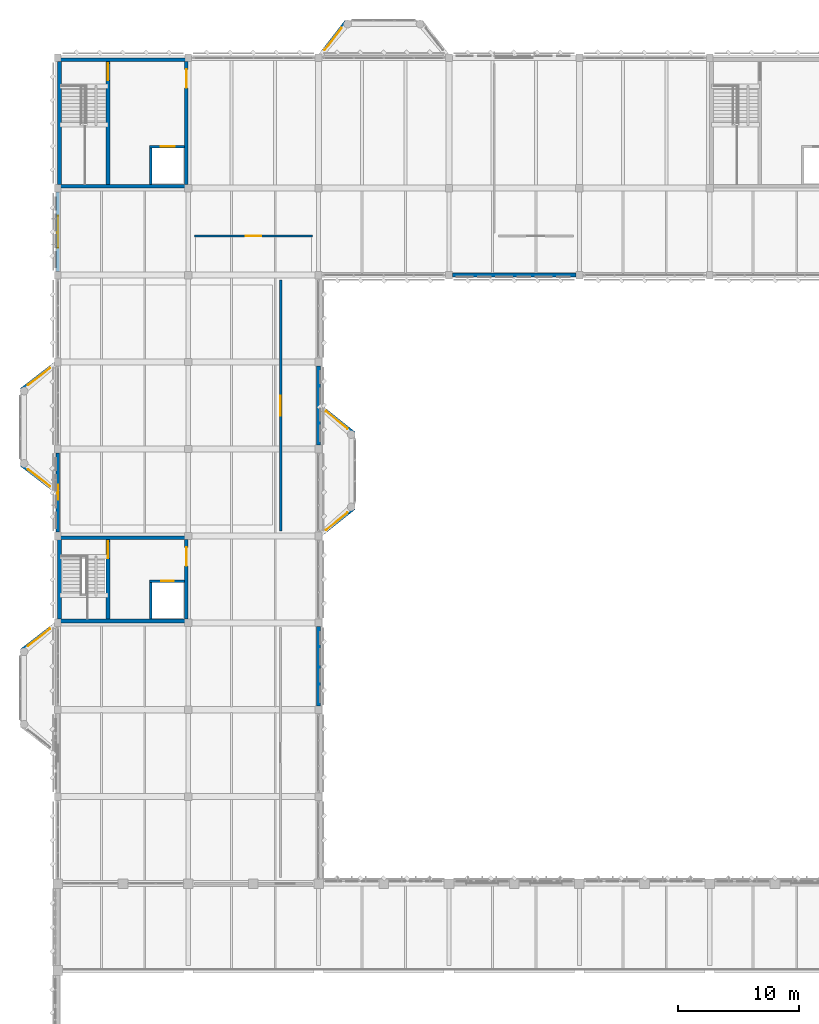
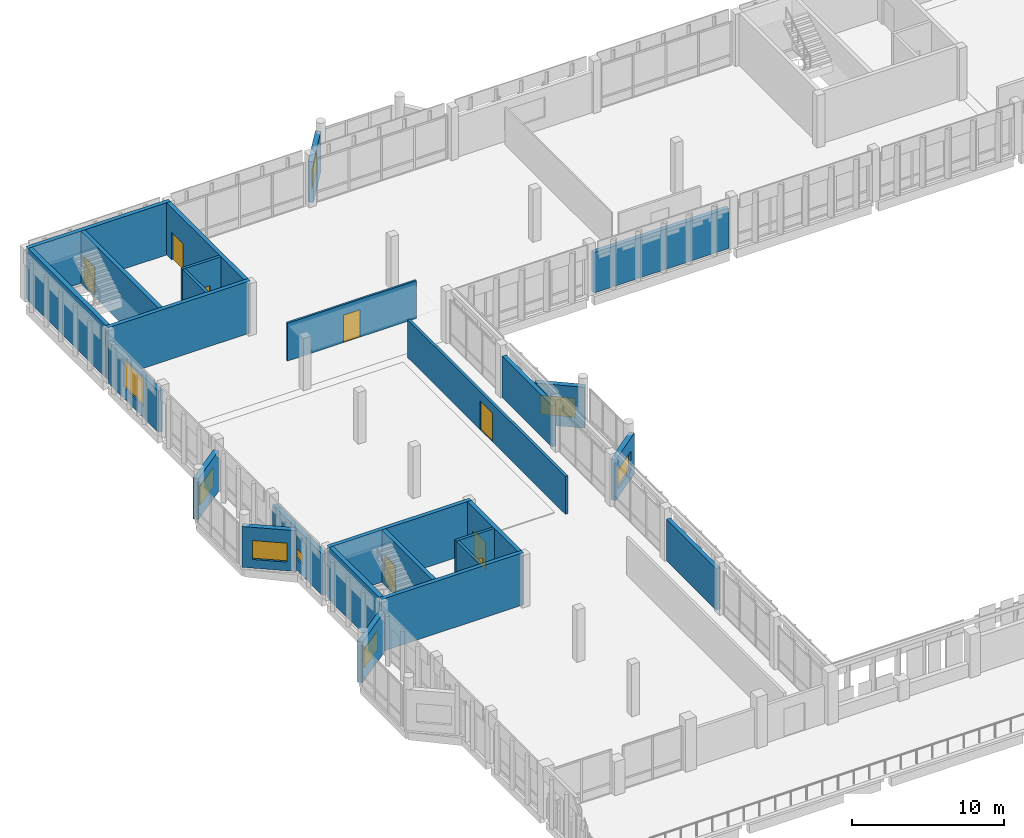
# One storey, part 133 of 158: 27 walls, 8 doors, 8 windows, 16 openings.
"""IFC4 building model written with IfcOpenShell, lengths in metres."""

from ifc_helpers import new_model, si_unit, direction, frame, frame_2d, origin, place, context, subcontext, project, spatial, rectangle, extrude, material, layer, layer_set, type_object, element, fill, save


model = new_model("IFC4")

# Units and contexts
model_context = context("Model", 3, precision=1e-05, world=origin(), true_north=direction((0.0, 1.0)))
body_context = subcontext(model_context, "Body", "Model", "MODEL_VIEW")
ifc_project = project(units=[si_unit("LENGTHUNIT", "METRE"), si_unit("AREAUNIT", "SQUARE_METRE"), si_unit("VOLUMEUNIT", "CUBIC_METRE"), si_unit("PLANEANGLEUNIT", "RADIAN"), si_unit("MASSUNIT", "GRAM", prefix="KILO")], contexts=[model_context])

# Site, building, storey
site_placement = place(None, origin())
site = spatial("IfcSite", under=ifc_project, at=site_placement, CompositionType="ELEMENT")
building_placement = place(site_placement, origin())
building = spatial("IfcBuilding", under=site, at=building_placement, Name="Lusvemor Sports Hall", CompositionType="ELEMENT")
storey_placement = place(building_placement, frame((0.0, 0.0, 10.800048828125)))
storey = spatial("IfcBuildingStorey", under=building, at=storey_placement, Name="L02", CompositionType="ELEMENT", Elevation=10.800048828125)

# Wall, opening, window
ifc_material_1 = material(Name="Emerald polychrome glazed ceramic cladding on Concrete C40/50 backing", Category="concrete")
ifc_layer_1 = layer(ifc_material_1, 0.364990234375)
ifc_layer_set_1 = layer_set([ifc_layer_1], Name="Emerald polychrome glazed ceramic cladding on Concrete C40/50 backing")
wall_type_1 = type_object("IfcWallType", Name="EW_WAVE_CER_365", PredefinedType="STANDARD", material=ifc_layer_set_1)
wall_1_placement = place(storey_placement, frame((-3.005126953125, 66.073486328125, 0.0), z_axis=(0.0, 0.0, 1.0), x_axis=(0.790740760184, 0.612151166122, 0.0)))
wall_1 = element("IfcWall", 1, at=wall_1_placement, inside=storey, type_object=wall_type_1, Name="Art Nouveau Bow Wall EW-BOW-W1-L02-3", PredefinedType="STANDARD", context=body_context, shape_type="SweptSolid", body=[
    extrude(rectangle(XDim=3.80029296875, YDim=0.364990234375, at=frame_2d((1.900146484375, 0.0))), origin(), (0.0, 0.0, 1.0), 3.280029296875),
])
opening_1_placement = place(wall_1_placement, frame((0.679931640625, 0.0, 0.699951171875)))
opening_1 = element("IfcOpeningElement", 2, at=opening_1_placement, cuts=wall_1, Name="Opening WN21", PredefinedType="OPENING", context=body_context, shape_type="SweptSolid", body=[
    extrude(rectangle(XDim=2.320068359375, YDim=1.52001953125, at=frame_2d((1.16015625, 0.760009765625))), frame((0.0, 0.1826171875, 0.0), z_axis=(0.0, -1.0, 0.0), x_axis=(1.0, 0.0, 0.0)), (0.0, 0.0, 1.0), 0.364990234375),
])
ifc_material_2 = material(Name="Solar-control laminated double glazing", Category="glass")
window_type_1 = type_object("IfcWindowType", Name="WIN_21", PartitioningType="SINGLE_PANEL", PredefinedType="WINDOW", material=ifc_material_2)
window_1_placement = place(opening_1_placement, origin())
window_1 = element("IfcWindow", 3, at=window_1_placement, inside=storey, type_object=window_type_1, Name="Art Nouveau Bow Window BOW-W1 L02-3", OverallHeight=1.52001953125, OverallWidth=2.320068359375, PartitioningType="SINGLE_PANEL", PredefinedType="WINDOW", context=body_context, shape_type="SweptSolid", body=[
    extrude(rectangle(XDim=2.320068359375, YDim=1.52001953125, at=frame_2d((1.16015625, 0.760009765625))), frame((0.0, 0.030029296875, 0.0), z_axis=(0.0, -1.0, 0.0), x_axis=(1.0, 0.0, 0.0)), (0.0, 0.0, 1.0), 0.06005859375),
])
fill(opening_1, window_1)

wall_2_placement = place(storey_placement, frame((-0.157470703125, 79.322021484375, 0.0), z_axis=(0.0, 0.0, 1.0), x_axis=(-0.79073005897, 0.612164989069, 0.0)))
wall_2 = element("IfcWall", 4, at=wall_2_placement, inside=storey, type_object=wall_type_1, Name="Art Nouveau Bow Wall EW-BOW-W2-L02-1", PredefinedType="STANDARD", context=body_context, shape_type="SweptSolid", body=[
    extrude(rectangle(XDim=3.601318359375, YDim=0.364990234375, at=frame_2d((1.80078125, 0.0))), origin(), (0.0, 0.0, 1.0), 3.280029296875),
])
opening_2_placement = place(wall_2_placement, frame((0.600830078125, 0.0, 0.699951171875)))
opening_2 = element("IfcOpeningElement", 5, at=opening_2_placement, cuts=wall_2, Name="Opening WN21", PredefinedType="OPENING", context=body_context, shape_type="SweptSolid", body=[
    extrude(rectangle(XDim=2.320068359375, YDim=1.52001953125, at=frame_2d((1.16015625, 0.760009765625))), frame((0.0, 0.1826171875, 0.0), z_axis=(0.0, -1.0, 0.0), x_axis=(1.0, 0.0, 0.0)), (0.0, 0.0, 1.0), 0.364990234375),
])
window_2_placement = place(opening_2_placement, origin())
window_2 = element("IfcWindow", 6, at=window_2_placement, inside=storey, type_object=window_type_1, Name="Art Nouveau Bow Window BOW-W2 L02-1", OverallHeight=1.52001953125, OverallWidth=2.320068359375, PartitioningType="SINGLE_PANEL", PredefinedType="WINDOW", context=body_context, shape_type="SweptSolid", body=[
    extrude(rectangle(XDim=2.320068359375, YDim=1.52001953125, at=frame_2d((1.16015625, 0.760009765625))), frame((0.0, 0.030029296875, 0.0), z_axis=(0.0, -1.0, 0.0), x_axis=(1.0, 0.0, 0.0)), (0.0, 0.0, 1.0), 0.06005859375),
])
fill(opening_2, window_2)

wall_3_placement = place(storey_placement, frame((-3.005126953125, 87.673583984375, 0.0), z_axis=(0.0, 0.0, 1.0), x_axis=(0.790756898757, 0.612130318696, 0.0)))
wall_3 = element("IfcWall", 7, at=wall_3_placement, inside=storey, type_object=wall_type_1, Name="Art Nouveau Bow Wall EW-BOW-W2-L02-3", PredefinedType="STANDARD", context=body_context, shape_type="SweptSolid", body=[
    extrude(rectangle(XDim=3.560302734375, YDim=0.364990234375, at=frame_2d((1.7802734375, 0.0))), origin(), (0.0, 0.0, 1.0), 3.280029296875),
])
opening_3_placement = place(wall_3_placement, frame((0.679931640625, 0.0, 0.699951171875)))
opening_3 = element("IfcOpeningElement", 8, at=opening_3_placement, cuts=wall_3, Name="Opening WN21", PredefinedType="OPENING", context=body_context, shape_type="SweptSolid", body=[
    extrude(rectangle(XDim=2.320068359375, YDim=1.52001953125, at=frame_2d((1.16015625, 0.760009765625))), frame((0.0, 0.1826171875, 0.0), z_axis=(0.0, -1.0, 0.0), x_axis=(1.0, 0.0, 0.0)), (0.0, 0.0, 1.0), 0.364990234375),
])
window_3_placement = place(opening_3_placement, origin())
window_3 = element("IfcWindow", 9, at=window_3_placement, inside=storey, type_object=window_type_1, Name="Art Nouveau Bow Window BOW-W2 L02-3", OverallHeight=1.52001953125, OverallWidth=2.320068359375, PartitioningType="SINGLE_PANEL", PredefinedType="WINDOW", context=body_context, shape_type="SweptSolid", body=[
    extrude(rectangle(XDim=2.320068359375, YDim=1.52001953125, at=frame_2d((1.16015625, 0.760009765625))), frame((0.0, 0.030029296875, 0.0), z_axis=(0.0, -1.0, 0.0), x_axis=(1.0, 0.0, 0.0)), (0.0, 0.0, 1.0), 0.06005859375),
])
fill(opening_3, window_3)

wall_4_placement = place(storey_placement, frame((21.746826171875, 115.389892578125, 0.0), z_axis=(0.0, 0.0, 1.0), x_axis=(0.612206385164, 0.790698009334, 0.0)))
wall_4 = element("IfcWall", 10, at=wall_4_placement, inside=storey, type_object=wall_type_1, Name="Art Nouveau Bow Wall EW-BOW-N1-L02-1", PredefinedType="STANDARD", context=body_context, shape_type="SweptSolid", body=[
    extrude(rectangle(XDim=3.560302734375, YDim=0.364990234375, at=frame_2d((1.7802734375, 0.0))), origin(), (0.0, 0.0, 1.0), 3.280029296875),
])
opening_4_placement = place(wall_4_placement, frame((0.56005859375, 0.0, 0.699951171875)))
opening_4 = element("IfcOpeningElement", 11, at=opening_4_placement, cuts=wall_4, Name="Opening WN21", PredefinedType="OPENING", context=body_context, shape_type="SweptSolid", body=[
    extrude(rectangle(XDim=2.320068359375, YDim=1.52001953125, at=frame_2d((1.16015625, 0.760009765625))), frame((0.0, 0.1826171875, 0.0), z_axis=(0.0, -1.0, 0.0), x_axis=(1.0, 0.0, 0.0)), (0.0, 0.0, 1.0), 0.364990234375),
])
window_4_placement = place(opening_4_placement, origin())
window_4 = element("IfcWindow", 12, at=window_4_placement, inside=storey, type_object=window_type_1, Name="Art Nouveau Bow Window BOW-N1 L02-1", OverallHeight=1.52001953125, OverallWidth=2.320068359375, PartitioningType="SINGLE_PANEL", PredefinedType="WINDOW", context=body_context, shape_type="SweptSolid", body=[
    extrude(rectangle(XDim=2.320068359375, YDim=1.52001953125, at=frame_2d((1.16015625, 0.760009765625))), frame((0.0, 0.030029296875, 0.0), z_axis=(0.0, -1.0, 0.0), x_axis=(1.0, 0.0, 0.0)), (0.0, 0.0, 1.0), 0.06005859375),
])
fill(opening_4, window_4)

wall_5_placement = place(storey_placement, frame((21.896728515625, 86.16259765625, 0.0), z_axis=(0.0, 0.0, 1.0), x_axis=(0.780875936628, -0.62468613847, 0.0)))
wall_5 = element("IfcWall", 13, at=wall_5_placement, inside=storey, type_object=wall_type_1, Name="Art Nouveau Bow Wall EW-BOW-CT-L02-1", PredefinedType="STANDARD", context=body_context, shape_type="SweptSolid", body=[
    extrude(rectangle(XDim=3.341796875, YDim=0.364990234375, at=frame_2d((1.6708984375, 0.0))), origin(), (0.0, 0.0, 1.0), 3.280029296875),
])
opening_5_placement = place(wall_5_placement, frame((0.381103515625, 0.0, 0.699951171875)))
opening_5 = element("IfcOpeningElement", 14, at=opening_5_placement, cuts=wall_5, Name="Opening WN21", PredefinedType="OPENING", context=body_context, shape_type="SweptSolid", body=[
    extrude(rectangle(XDim=2.320068359375, YDim=1.52001953125, at=frame_2d((1.16015625, 0.760009765625))), frame((0.0, 0.1826171875, 0.0), z_axis=(0.0, -1.0, 0.0), x_axis=(1.0, 0.0, 0.0)), (0.0, 0.0, 1.0), 0.364990234375),
])
window_5_placement = place(opening_5_placement, origin())
window_5 = element("IfcWindow", 15, at=window_5_placement, inside=storey, type_object=window_type_1, Name="Art Nouveau Bow Window BOW-CT L02-1", OverallHeight=1.52001953125, OverallWidth=2.320068359375, PartitioningType="SINGLE_PANEL", PredefinedType="WINDOW", context=body_context, shape_type="SweptSolid", body=[
    extrude(rectangle(XDim=2.320068359375, YDim=1.52001953125, at=frame_2d((1.16015625, 0.760009765625))), frame((0.0, 0.030029296875, 0.0), z_axis=(0.0, -1.0, 0.0), x_axis=(1.0, 0.0, 0.0)), (0.0, 0.0, 1.0), 0.06005859375),
])
fill(opening_5, window_5)

wall_6_placement = place(storey_placement, frame((24.50634765625, 77.925048828125, 0.0), z_axis=(0.0, 0.0, 1.0), x_axis=(-0.780875936628, -0.62468613847, 0.0)))
wall_6 = element("IfcWall", 16, at=wall_6_placement, inside=storey, type_object=wall_type_1, Name="Art Nouveau Bow Wall EW-BOW-CT-L02-3", PredefinedType="STANDARD", context=body_context, shape_type="SweptSolid", body=[
    extrude(rectangle(XDim=3.341796875, YDim=0.364990234375, at=frame_2d((1.6708984375, 0.0))), origin(), (0.0, 0.0, 1.0), 3.280029296875),
])
opening_6_placement = place(wall_6_placement, frame((0.64111328125, 0.0, 0.699951171875)))
opening_6 = element("IfcOpeningElement", 17, at=opening_6_placement, cuts=wall_6, Name="Opening WN21", PredefinedType="OPENING", context=body_context, shape_type="SweptSolid", body=[
    extrude(rectangle(XDim=2.320068359375, YDim=1.52001953125, at=frame_2d((1.16015625, 0.760009765625))), frame((0.0, 0.1826171875, 0.0), z_axis=(0.0, -1.0, 0.0), x_axis=(1.0, 0.0, 0.0)), (0.0, 0.0, 1.0), 0.364990234375),
])
window_6_placement = place(opening_6_placement, origin())
window_6 = element("IfcWindow", 18, at=window_6_placement, inside=storey, type_object=window_type_1, Name="Art Nouveau Bow Window BOW-CT L02-3", OverallHeight=1.52001953125, OverallWidth=2.320068359375, PartitioningType="SINGLE_PANEL", PredefinedType="WINDOW", context=body_context, shape_type="SweptSolid", body=[
    extrude(rectangle(XDim=2.320068359375, YDim=1.52001953125, at=frame_2d((1.16015625, 0.760009765625))), frame((0.0, 0.030029296875, 0.0), z_axis=(0.0, -1.0, 0.0), x_axis=(1.0, 0.0, 0.0)), (0.0, 0.0, 1.0), 0.06005859375),
])
fill(opening_6, window_6)

ifc_material_3 = material(Name="Warm terracotta Art Nouveau ceramic cladding on Concrete C40/50 backing", Category="masonry")
ifc_layer_2 = layer(ifc_material_3, 0.31494140625)
ifc_layer_set_2 = layer_set([ifc_layer_2], Name="Warm terracotta Art Nouveau ceramic cladding on Concrete C40/50 backing")
wall_type_2 = type_object("IfcWallType", Name="EW_WING_CAV_315", PredefinedType="STANDARD", material=ifc_layer_set_2)
wall_7_placement = place(storey_placement, frame((0.0, 75.916015625, 0.0), z_axis=(0.0, 0.0, 1.0), x_axis=(0.0, 1.0, 0.0)))
wall_7 = element("IfcWall", 19, at=wall_7_placement, inside=storey, type_object=wall_type_2, Name="Exterior Wall EW-L02-W-0-4", PredefinedType="STANDARD", context=body_context, shape_type="SweptSolid", body=[
    extrude(rectangle(XDim=6.56787109375, YDim=0.31494140625, at=frame_2d((3.283935546875, 0.0))), origin(), (0.0, 0.0, 1.0), 3.3349609375),
])
opening_7_placement = place(wall_7_placement, frame((2.6640625, 0.0, 0.89990234375)))
opening_7 = element("IfcOpeningElement", 20, at=opening_7_placement, cuts=wall_7, Name="Opening WN15", PredefinedType="OPENING", context=body_context, shape_type="SweptSolid", body=[
    extrude(rectangle(XDim=1.239990234375, YDim=0.820068359375, at=frame_2d((0.6201171875, 0.41015625))), frame((0.0, 0.157470703125, 0.0), z_axis=(0.0, -1.0, 0.0), x_axis=(1.0, 0.0, 0.0)), (0.0, 0.0, 1.0), 0.31494140625),
])
ifc_material_4 = material(Name="Solar-control laminated double glazing", Category="glass")
window_type_2 = type_object("IfcWindowType", Name="WIN_15", PartitioningType="SINGLE_PANEL", PredefinedType="WINDOW", material=ifc_material_4)
window_7_placement = place(opening_7_placement, origin())
window_7 = element("IfcWindow", 21, at=window_7_placement, inside=storey, type_object=window_type_2, Name="Wing Window L02-W-0-4", OverallHeight=0.820068359375, OverallWidth=1.239990234375, PartitioningType="SINGLE_PANEL", PredefinedType="WINDOW", context=body_context, shape_type="SweptSolid", body=[
    extrude(rectangle(XDim=1.239990234375, YDim=0.820068359375, at=frame_2d((0.6201171875, 0.41015625))), frame((0.0, 0.030029296875, 0.0), z_axis=(0.0, -1.0, 0.0), x_axis=(1.0, 0.0, 0.0)), (0.0, 0.0, 1.0), 0.06005859375),
])
fill(opening_7, window_7)

wall_8_placement = place(storey_placement, frame((0.0, 97.51611328125, 0.0), z_axis=(0.0, 0.0, 1.0), x_axis=(0.0, 1.0, 0.0)))
wall_8 = element("IfcWall", 22, at=wall_8_placement, inside=storey, type_object=wall_type_2, Name="Exterior Wall EW-L02-W-0-7", PredefinedType="STANDARD", context=body_context, shape_type="SweptSolid", body=[
    extrude(rectangle(XDim=6.56787109375, YDim=0.31494140625, at=frame_2d((3.283935546875, 0.0))), origin(), (0.0, 0.0, 1.0), 3.3349609375),
])
opening_8_placement = place(wall_8_placement, frame((1.97412109375, 0.0, 0.89990234375)))
opening_8 = element("IfcOpeningElement", 23, at=opening_8_placement, cuts=wall_8, Name="Opening WN18", PredefinedType="OPENING", context=body_context, shape_type="SweptSolid", body=[
    extrude(rectangle(XDim=2.6201171875, YDim=2.239990234375, at=frame_2d((1.31005859375, 1.1201171875))), frame((0.0, 0.157470703125, 0.0), z_axis=(0.0, -1.0, 0.0), x_axis=(1.0, 0.0, 0.0)), (0.0, 0.0, 1.0), 0.31494140625),
])
ifc_material_5 = material(Name="Solar-control laminated double glazing", Category="glass")
window_type_3 = type_object("IfcWindowType", Name="WIN_18", PartitioningType="SINGLE_PANEL", PredefinedType="WINDOW", material=ifc_material_5)
window_8_placement = place(opening_8_placement, origin())
window_8 = element("IfcWindow", 24, at=window_8_placement, inside=storey, type_object=window_type_3, Name="Wing Window L02-W-0-7", OverallHeight=2.239990234375, OverallWidth=2.6201171875, PartitioningType="SINGLE_PANEL", PredefinedType="WINDOW", context=body_context, shape_type="SweptSolid", body=[
    extrude(rectangle(XDim=2.6201171875, YDim=2.239990234375, at=frame_2d((1.31005859375, 1.1201171875))), frame((0.0, 0.030029296875, 0.0), z_axis=(0.0, -1.0, 0.0), x_axis=(1.0, 0.0, 0.0)), (0.0, 0.0, 1.0), 0.06005859375),
])
fill(opening_8, window_8)

# Walls
wall_9_placement = place(storey_placement, frame((42.924072265625, 97.199951171875, 0.0), z_axis=(0.0, 0.0, 1.0), x_axis=(-1.0, 0.0, 0.0)))
element("IfcWall", 25, at=wall_9_placement, inside=storey, type_object=wall_type_2, Name="Exterior Wall EW-L02-S-3-1", PredefinedType="STANDARD", context=body_context, shape_type="SweptSolid", body=[
    extrude(rectangle(XDim=10.248046875, YDim=0.31494140625, at=frame_2d((5.1240234375, 0.0))), origin(), (0.0, 0.0, 1.0), 3.244873046875),
])
wall_10_placement = place(storey_placement, frame((21.60009765625, 68.083984375, 0.0), z_axis=(0.0, 0.0, 1.0), x_axis=(0.0, -1.0, 0.0)))
element("IfcWall", 26, at=wall_10_placement, inside=storey, type_object=wall_type_2, Name="Exterior Wall EW-L02-E-5-2", PredefinedType="STANDARD", context=body_context, shape_type="SweptSolid", body=[
    extrude(rectangle(XDim=6.56787109375, YDim=0.31494140625, at=frame_2d((3.283935546875, 0.0))), origin(), (0.0, 0.0, 1.0), 3.3349609375),
])
wall_11_placement = place(storey_placement, frame((21.60009765625, 89.68408203125, 0.0), z_axis=(0.0, 0.0, 1.0), x_axis=(0.0, -1.0, 0.0)))
element("IfcWall", 27, at=wall_11_placement, inside=storey, type_object=wall_type_2, Name="Exterior Wall EW-L02-E-5-5", PredefinedType="STANDARD", context=body_context, shape_type="SweptSolid", body=[
    extrude(rectangle(XDim=6.568115234375, YDim=0.31494140625, at=frame_2d((3.2841796875, 0.0))), origin(), (0.0, 0.0, 1.0), 3.3349609375),
])

# Wall, opening, door
ifc_material_6 = material(Name="Double-leaf acoustic gypsum board on metal studs")
ifc_layer_3 = layer(ifc_material_6, 0.199951171875)
ifc_layer_set_3 = layer_set([ifc_layer_3], Name="Double-leaf acoustic gypsum board on metal studs")
wall_type_3 = type_object("IfcWallType", Name="IW_ACOUST_202", PredefinedType="STANDARD", material=ifc_layer_set_3)
wall_12_placement = place(storey_placement, frame((18.449951171875, 76.0, 0.0), z_axis=(0.0, 0.0, 1.0), x_axis=(0.0, 1.0, 0.0)))
wall_12 = element("IfcWall", 28, at=wall_12_placement, inside=storey, type_object=wall_type_3, Name="Partition IW-L02-W-DANCE3", PredefinedType="STANDARD", context=body_context, shape_type="SweptSolid", body=[
    extrude(rectangle(XDim=20.800048828125, YDim=0.199951171875, at=frame_2d((10.39990234375, 0.0))), origin(), (0.0, 0.0, 1.0), 3.0400390625),
])
opening_9_placement = place(wall_12_placement, frame((9.570068359375, 0.0, 0.0)))
opening_9 = element("IfcOpeningElement", 29, at=opening_9_placement, cuts=wall_12, Name="Opening ID06", PredefinedType="OPENING", context=body_context, shape_type="SweptSolid", body=[
    extrude(rectangle(XDim=1.659912109375, YDim=2.320068359375, at=frame_2d((0.830078125, 1.16015625))), frame((0.0, 0.10009765625, 0.0), z_axis=(0.0, -1.0, 0.0), x_axis=(1.0, 0.0, 0.0)), (0.0, 0.0, 1.0), 0.199951171875),
])
ifc_material_7 = material(Name="Acoustic solid-core hardwood door leaf in steel frame", Category="steel")
door_type_1 = type_object("IfcDoorType", Name="IDR_DANCE_166", OperationType="NOTDEFINED", PredefinedType="DOOR", material=ifc_material_7)
door_1_placement = place(opening_9_placement, origin())
door_1 = element("IfcDoor", 30, at=door_1_placement, inside=storey, type_object=door_type_1, Name="DR-191", OperationType="SINGLE_SWING_LEFT", OverallHeight=2.320068359375, OverallWidth=1.659912109375, PredefinedType="DOOR", context=body_context, shape_type="SweptSolid", body=[
    extrude(rectangle(XDim=1.659912109375, YDim=2.320068359375, at=frame_2d((0.830078125, 1.16015625))), frame((0.0, 0.02490234375, 0.0), z_axis=(0.0, -1.0, 0.0), x_axis=(1.0, 0.0, 0.0)), (0.0, 0.0, 1.0), 0.050048828125),
])
fill(opening_9, door_1)

ifc_material_8 = material(Name="Double-leaf acoustic gypsum board on metal studs")
ifc_layer_4 = layer(ifc_material_8, 0.14990234375)
ifc_layer_set_4 = layer_set([ifc_layer_4], Name="Double-leaf acoustic gypsum board on metal studs")
wall_type_4 = type_object("IfcWallType", Name="IW_PART_152", PredefinedType="STANDARD", material=ifc_layer_set_4)
wall_13_placement = place(storey_placement, frame((11.300048828125, 100.449951171875, 0.0), z_axis=(0.0, 0.0, 1.0), x_axis=(1.0, 0.0, 0.0)))
wall_13 = element("IfcWall", 31, at=wall_13_placement, inside=storey, type_object=wall_type_4, Name="Partition IW-L02-CNN-CLIN4", PredefinedType="STANDARD", context=body_context, shape_type="SweptSolid", body=[
    extrude(rectangle(XDim=9.800048828125, YDim=0.14990234375, at=frame_2d((4.89990234375, 0.0))), origin(), (0.0, 0.0, 1.0), 3.0400390625),
])
opening_10_placement = place(wall_13_placement, frame((4.27001953125, 0.0, 0.0)))
opening_10 = element("IfcOpeningElement", 32, at=opening_10_placement, cuts=wall_13, Name="Opening ID07", PredefinedType="OPENING", context=body_context, shape_type="SweptSolid", body=[
    extrude(rectangle(XDim=1.260009765625, YDim=2.199951171875, at=frame_2d((0.6298828125, 1.10009765625))), frame((0.0, 0.074951171875, 0.0), z_axis=(0.0, -1.0, 0.0), x_axis=(1.0, 0.0, 0.0)), (0.0, 0.0, 1.0), 0.14990234375),
])
ifc_material_9 = material(Name="Acoustic solid-core hardwood door leaf in steel frame", Category="steel")
door_type_2 = type_object("IfcDoorType", Name="IDR_CLINIC_126", OperationType="NOTDEFINED", PredefinedType="DOOR", material=ifc_material_9)
door_2_placement = place(opening_10_placement, origin())
door_2 = element("IfcDoor", 33, at=door_2_placement, inside=storey, type_object=door_type_2, Name="DR-192", OperationType="SINGLE_SWING_RIGHT", OverallHeight=2.199951171875, OverallWidth=1.260009765625, PredefinedType="DOOR", context=body_context, shape_type="SweptSolid", body=[
    extrude(rectangle(XDim=1.260009765625, YDim=2.199951171875, at=frame_2d((0.6298828125, 1.10009765625))), frame((0.0, 0.02490234375, 0.0), z_axis=(0.0, -1.0, 0.0), x_axis=(1.0, 0.0, 0.0)), (0.0, 0.0, 1.0), 0.050048828125),
])
fill(opening_10, door_2)

ifc_material_10 = material(Name="Concrete C40/50", Category="concrete")
ifc_layer_5 = layer(ifc_material_10, 0.2099609375)
ifc_layer_set_5 = layer_set([ifc_layer_5], Name="Concrete C40/50")
wall_type_5 = type_object("IfcWallType", Name="IW_SHFT_212", PredefinedType="STANDARD", material=ifc_layer_set_5)
wall_14_placement = place(storey_placement, frame((7.590087890625, 107.85009765625, 0.0), z_axis=(0.0, 0.0, 1.0), x_axis=(1.0, 0.0, 0.0)))
wall_14 = element("IfcWall", 34, at=wall_14_placement, inside=storey, type_object=wall_type_5, Name="Lift LF-01 Shaft Front Wall (L02)", PredefinedType="STANDARD", context=body_context, shape_type="SweptSolid", body=[
    extrude(rectangle(XDim=2.909912109375, YDim=0.2099609375, at=frame_2d((1.455078125, 0.0))), origin(), (0.0, 0.0, 1.0), 4.199951171875),
])
opening_11_placement = place(wall_14_placement, frame((0.93994140625, 0.0, 0.0)))
opening_11 = element("IfcOpeningElement", 35, at=opening_11_placement, cuts=wall_14, Name="Opening LD-01", PredefinedType="OPENING", context=body_context, shape_type="SweptSolid", body=[
    extrude(rectangle(XDim=1.139892578125, YDim=2.159912109375, at=frame_2d((0.56982421875, 1.080078125))), frame((0.0, 0.10498046875, 0.0), z_axis=(0.0, -1.0, 0.0), x_axis=(1.0, 0.0, 0.0)), (0.0, 0.0, 1.0), 0.2099609375),
])
ifc_material_11 = material(Name="Brushed stainless-steel sliding lift landing door", Category="steel")
door_type_3 = type_object("IfcDoorType", Name="LIFT_DOOR_FF_114", OperationType="NOTDEFINED", PredefinedType="DOOR", material=ifc_material_11)
door_3_placement = place(opening_11_placement, origin())
door_3 = element("IfcDoor", 36, at=door_3_placement, inside=storey, type_object=door_type_3, Name="DR-039", OperationType="SLIDING_TO_LEFT", OverallHeight=2.159912109375, OverallWidth=1.139892578125, PredefinedType="DOOR", context=body_context, shape_type="SweptSolid", body=[
    extrude(rectangle(XDim=1.139892578125, YDim=2.159912109375, at=frame_2d((0.56982421875, 1.080078125))), frame((0.0, 0.02490234375, 0.0), z_axis=(0.0, -1.0, 0.0), x_axis=(1.0, 0.0, 0.0)), (0.0, 0.0, 1.0), 0.050048828125),
])
fill(opening_11, door_3)

# Wall
wall_15_placement = place(storey_placement, frame((7.695068359375, 104.699951171875, 0.0), z_axis=(0.0, 0.0, 1.0), x_axis=(0.0, 1.0, 0.0)))
element("IfcWall", 37, at=wall_15_placement, inside=storey, type_object=wall_type_5, Name="Lift LF-01 Shaft Side Wall (L02)", PredefinedType="STANDARD", context=body_context, shape_type="SweptSolid", body=[
    extrude(rectangle(XDim=3.045166015625, YDim=0.2099609375, at=frame_2d((1.5224609375, 0.0))), origin(), (0.0, 0.0, 1.0), 4.199951171875),
])

# Wall, opening, door
wall_16_placement = place(storey_placement, frame((7.590087890625, 71.85009765625, 0.0), z_axis=(0.0, 0.0, 1.0), x_axis=(1.0, 0.0, 0.0)))
wall_16 = element("IfcWall", 38, at=wall_16_placement, inside=storey, type_object=wall_type_5, Name="Lift LP-02 Shaft Front Wall (L02)", PredefinedType="STANDARD", context=body_context, shape_type="SweptSolid", body=[
    extrude(rectangle(XDim=2.909912109375, YDim=0.2099609375, at=frame_2d((1.455078125, 0.0))), origin(), (0.0, 0.0, 1.0), 4.199951171875),
])
opening_12_placement = place(wall_16_placement, frame((0.989990234375, 0.0, 0.0)))
opening_12 = element("IfcOpeningElement", 39, at=opening_12_placement, cuts=wall_16, Name="Opening LD-02", PredefinedType="OPENING", context=body_context, shape_type="SweptSolid", body=[
    extrude(rectangle(XDim=1.0400390625, YDim=2.159912109375, at=frame_2d((0.52001953125, 1.080078125))), frame((0.0, 0.10498046875, 0.0), z_axis=(0.0, -1.0, 0.0), x_axis=(1.0, 0.0, 0.0)), (0.0, 0.0, 1.0), 0.2099609375),
])
ifc_material_12 = material(Name="Brushed stainless-steel sliding lift landing door", Category="steel")
door_type_4 = type_object("IfcDoorType", Name="LIFT_DOOR_PAX_104", OperationType="NOTDEFINED", PredefinedType="DOOR", material=ifc_material_12)
door_4_placement = place(opening_12_placement, origin())
door_4 = element("IfcDoor", 40, at=door_4_placement, inside=storey, type_object=door_type_4, Name="DR-070", OperationType="SLIDING_TO_LEFT", OverallHeight=2.159912109375, OverallWidth=1.0400390625, PredefinedType="DOOR", context=body_context, shape_type="SweptSolid", body=[
    extrude(rectangle(XDim=1.0400390625, YDim=2.159912109375, at=frame_2d((0.52001953125, 1.080078125))), frame((0.0, 0.02490234375, 0.0), z_axis=(0.0, -1.0, 0.0), x_axis=(1.0, 0.0, 0.0)), (0.0, 0.0, 1.0), 0.050048828125),
])
fill(opening_12, door_4)

# Walls
wall_17_placement = place(storey_placement, frame((7.695068359375, 68.699951171875, 0.0), z_axis=(0.0, 0.0, 1.0), x_axis=(0.0, 1.0, 0.0)))
element("IfcWall", 41, at=wall_17_placement, inside=storey, type_object=wall_type_5, Name="Lift LP-02 Shaft Side Wall (L02)", PredefinedType="STANDARD", context=body_context, shape_type="SweptSolid", body=[
    extrude(rectangle(XDim=3.045166015625, YDim=0.2099609375, at=frame_2d((1.5224609375, 0.0))), origin(), (0.0, 0.0, 1.0), 4.199951171875),
])
ifc_material_13 = material(Name="Concrete C40/50", Category="concrete")
ifc_layer_6 = layer(ifc_material_13, 0.300048828125)
ifc_layer_set_6 = layer_set([ifc_layer_6], Name="Concrete C40/50")
wall_type_6 = type_object("IfcWallType", Name="WALL_CORE_300_INT", PredefinedType="SHEAR", material=ifc_layer_set_6)
for number, where, z_axis, x_axis, name in (
    (42, (10.800048828125, 104.550048828125, 0.0), (0.0, 0.0, 1.0), (-1.0, 0.0, 0.0), "Core C1 Northwest Shear Wall S (L02)"),
    (43, (0.0, 115.050048828125, 0.0), (0.0, 0.0, 1.0), (1.0, 0.0, 0.0), "Core C1 Northwest Shear Wall N (L02)"),
):
    element("IfcWall", number, at=place(storey_placement, frame(where, z_axis=z_axis, x_axis=x_axis)), inside=storey, type_object=wall_type_6, Name=name, PredefinedType="SHEAR", context=body_context, shape_type="SweptSolid", body=[
        extrude(rectangle(XDim=10.800048828125, YDim=0.300048828125, at=frame_2d((5.39990234375, 0.0))), origin(), (0.0, 0.0, 1.0), 4.199951171875),
    ])

# Wall, opening, door
wall_18_placement = place(storey_placement, frame((10.64990234375, 114.89990234375, 0.0), z_axis=(0.0, 0.0, 1.0), x_axis=(0.0, -1.0, 0.0)))
wall_18 = element("IfcWall", 44, at=wall_18_placement, inside=storey, type_object=wall_type_6, Name="Core C1 Northwest Shear Wall E (L02)", PredefinedType="SHEAR", context=body_context, shape_type="SweptSolid", body=[
    extrude(rectangle(XDim=10.199951171875, YDim=0.300048828125, at=frame_2d((5.10009765625, 0.0))), origin(), (0.0, 0.0, 1.0), 4.199951171875),
])
opening_13_placement = place(wall_18_placement, frame((0.64990234375, 0.0, 0.0)))
opening_13 = element("IfcOpeningElement", 45, at=opening_13_placement, cuts=wall_18, Name="Opening DR-FD60-01", PredefinedType="OPENING", context=body_context, shape_type="SweptSolid", body=[
    extrude(rectangle(XDim=1.5400390625, YDim=2.219970703125, at=frame_2d((0.77001953125, 1.10986328125))), frame((0.0, 0.14990234375, 0.0), z_axis=(0.0, -1.0, 0.0), x_axis=(1.0, 0.0, 0.0)), (0.0, 0.0, 1.0), 0.300048828125),
])
ifc_material_14 = material(Name="Fire-rated insulated painted steel door assembly", Category="steel")
door_type_5 = type_object("IfcDoorType", Name="IDR_LOBBY_FD60_154", OperationType="NOTDEFINED", PredefinedType="DOOR", material=ifc_material_14)
door_5_placement = place(opening_13_placement, origin())
door_5 = element("IfcDoor", 46, at=door_5_placement, inside=storey, type_object=door_type_5, Name="DR-047", OperationType="SINGLE_SWING_RIGHT", OverallHeight=2.219970703125, OverallWidth=1.5400390625, PredefinedType="DOOR", context=body_context, shape_type="SweptSolid", body=[
    extrude(rectangle(XDim=1.5400390625, YDim=2.219970703125, at=frame_2d((0.77001953125, 1.10986328125))), frame((0.0, 0.02490234375, 0.0), z_axis=(0.0, -1.0, 0.0), x_axis=(1.0, 0.0, 0.0)), (0.0, 0.0, 1.0), 0.050048828125),
])
fill(opening_13, door_5)

wall_19_placement = place(storey_placement, frame((4.14990234375, 104.699951171875, 0.0), z_axis=(0.0, 0.0, 1.0), x_axis=(0.0, 1.0, 0.0)))
wall_19 = element("IfcWall", 47, at=wall_19_placement, inside=storey, type_object=wall_type_6, Name="Core C1 Northwest Shear Wall M (L02)", PredefinedType="SHEAR", context=body_context, shape_type="SweptSolid", body=[
    extrude(rectangle(XDim=10.199951171875, YDim=0.300048828125, at=frame_2d((5.10009765625, 0.0))), origin(), (0.0, 0.0, 1.0), 4.199951171875),
])
opening_14_placement = place(wall_19_placement, frame((8.6298828125, 0.0, 0.0)))
opening_14 = element("IfcOpeningElement", 48, at=opening_14_placement, cuts=wall_19, Name="Opening DR-FD90-01", PredefinedType="OPENING", context=body_context, shape_type="SweptSolid", body=[
    extrude(rectangle(XDim=1.419921875, YDim=2.199951171875, at=frame_2d((0.7099609375, 1.10009765625))), frame((0.0, 0.14990234375, 0.0), z_axis=(0.0, -1.0, 0.0), x_axis=(1.0, 0.0, 0.0)), (0.0, 0.0, 1.0), 0.300048828125),
])
ifc_material_15 = material(Name="Fire-rated insulated painted steel door assembly", Category="steel")
door_type_6 = type_object("IfcDoorType", Name="IDR_STAIR_FD90_142", OperationType="NOTDEFINED", PredefinedType="DOOR", material=ifc_material_15)
door_6_placement = place(opening_14_placement, origin())
door_6 = element("IfcDoor", 49, at=door_6_placement, inside=storey, type_object=door_type_6, Name="DR-046", OperationType="SINGLE_SWING_LEFT", OverallHeight=2.199951171875, OverallWidth=1.419921875, PredefinedType="DOOR", context=body_context, shape_type="SweptSolid", body=[
    extrude(rectangle(XDim=1.419921875, YDim=2.199951171875, at=frame_2d((0.7099609375, 1.10009765625))), frame((0.0, 0.02490234375, 0.0), z_axis=(0.0, -1.0, 0.0), x_axis=(1.0, 0.0, 0.0)), (0.0, 0.0, 1.0), 0.050048828125),
])
fill(opening_14, door_6)

# Walls
for number, where, z_axis, x_axis, name in (
    (50, (10.800048828125, 68.550048828125, 0.0), (0.0, 0.0, 1.0), (-1.0, 0.0, 0.0), "Core C3 West-Central Shear Wall S (L02)"),
    (51, (0.0, 75.449951171875, 0.0), (0.0, 0.0, 1.0), (1.0, 0.0, 0.0), "Core C3 West-Central Shear Wall N (L02)"),
):
    element("IfcWall", number, at=place(storey_placement, frame(where, z_axis=z_axis, x_axis=x_axis)), inside=storey, type_object=wall_type_6, Name=name, PredefinedType="SHEAR", context=body_context, shape_type="SweptSolid", body=[
        extrude(rectangle(XDim=10.800048828125, YDim=0.300048828125, at=frame_2d((5.39990234375, 0.0))), origin(), (0.0, 0.0, 1.0), 4.199951171875),
    ])

# Wall, opening, door
wall_20_placement = place(storey_placement, frame((10.64990234375, 75.300048828125, 0.0), z_axis=(0.0, 0.0, 1.0), x_axis=(0.0, -1.0, 0.0)))
wall_20 = element("IfcWall", 52, at=wall_20_placement, inside=storey, type_object=wall_type_6, Name="Core C3 West-Central Shear Wall E (L02)", PredefinedType="SHEAR", context=body_context, shape_type="SweptSolid", body=[
    extrude(rectangle(XDim=6.60009765625, YDim=0.300048828125, at=frame_2d((3.300048828125, 0.0))), origin(), (0.0, 0.0, 1.0), 4.199951171875),
])
opening_15_placement = place(wall_20_placement, frame((0.64990234375, 0.0, 0.0)))
opening_15 = element("IfcOpeningElement", 53, at=opening_15_placement, cuts=wall_20, Name="Opening DR-FD60-01", PredefinedType="OPENING", context=body_context, shape_type="SweptSolid", body=[
    extrude(rectangle(XDim=1.5400390625, YDim=2.219970703125, at=frame_2d((0.77001953125, 1.10986328125))), frame((0.0, 0.14990234375, 0.0), z_axis=(0.0, -1.0, 0.0), x_axis=(1.0, 0.0, 0.0)), (0.0, 0.0, 1.0), 0.300048828125),
])
door_7_placement = place(opening_15_placement, origin())
door_7 = element("IfcDoor", 54, at=door_7_placement, inside=storey, type_object=door_type_5, Name="DR-078", OperationType="SINGLE_SWING_LEFT", OverallHeight=2.219970703125, OverallWidth=1.5400390625, PredefinedType="DOOR", context=body_context, shape_type="SweptSolid", body=[
    extrude(rectangle(XDim=1.5400390625, YDim=2.219970703125, at=frame_2d((0.77001953125, 1.10986328125))), frame((0.0, 0.02490234375, 0.0), z_axis=(0.0, -1.0, 0.0), x_axis=(1.0, 0.0, 0.0)), (0.0, 0.0, 1.0), 0.050048828125),
])
fill(opening_15, door_7)

wall_21_placement = place(storey_placement, frame((4.14990234375, 68.699951171875, 0.0), z_axis=(0.0, 0.0, 1.0), x_axis=(0.0, 1.0, 0.0)))
wall_21 = element("IfcWall", 55, at=wall_21_placement, inside=storey, type_object=wall_type_6, Name="Core C3 West-Central Shear Wall M (L02)", PredefinedType="SHEAR", context=body_context, shape_type="SweptSolid", body=[
    extrude(rectangle(XDim=6.60009765625, YDim=0.300048828125, at=frame_2d((3.300048828125, 0.0))), origin(), (0.0, 0.0, 1.0), 4.199951171875),
])
opening_16_placement = place(wall_21_placement, frame((5.030029296875, 0.0, 0.0)))
opening_16 = element("IfcOpeningElement", 56, at=opening_16_placement, cuts=wall_21, Name="Opening DR-FD90-01", PredefinedType="OPENING", context=body_context, shape_type="SweptSolid", body=[
    extrude(rectangle(XDim=1.419921875, YDim=2.199951171875, at=frame_2d((0.7099609375, 1.10009765625))), frame((0.0, 0.14990234375, 0.0), z_axis=(0.0, -1.0, 0.0), x_axis=(1.0, 0.0, 0.0)), (0.0, 0.0, 1.0), 0.300048828125),
])
door_8_placement = place(opening_16_placement, origin())
door_8 = element("IfcDoor", 57, at=door_8_placement, inside=storey, type_object=door_type_6, Name="DR-077", OperationType="SINGLE_SWING_RIGHT", OverallHeight=2.199951171875, OverallWidth=1.419921875, PredefinedType="DOOR", context=body_context, shape_type="SweptSolid", body=[
    extrude(rectangle(XDim=1.419921875, YDim=2.199951171875, at=frame_2d((0.7099609375, 1.10009765625))), frame((0.0, 0.02490234375, 0.0), z_axis=(0.0, -1.0, 0.0), x_axis=(1.0, 0.0, 0.0)), (0.0, 0.0, 1.0), 0.050048828125),
])
fill(opening_16, door_8)

# Walls
ifc_material_16 = material(Name="Concrete C40/50", Category="concrete")
ifc_layer_7 = layer(ifc_material_16, 0.324951171875)
ifc_layer_set_7 = layer_set([ifc_layer_7], Name="Concrete C40/50")
wall_type_7 = type_object("IfcWallType", Name="WALL_CORE_325_EXT", PredefinedType="SHEAR", material=ifc_layer_set_7)
wall_22_placement = place(storey_placement, frame((0.14990234375, 104.699951171875, 0.0), z_axis=(0.0, 0.0, 1.0), x_axis=(0.0, 1.0, 0.0)))
element("IfcWall", 58, at=wall_22_placement, inside=storey, type_object=wall_type_7, Name="Core C1 Northwest Shear Wall W (L02)", PredefinedType="SHEAR", context=body_context, shape_type="SweptSolid", body=[
    extrude(rectangle(XDim=10.199951171875, YDim=0.324951171875, at=frame_2d((5.10009765625, 0.0))), origin(), (0.0, 0.0, 1.0), 4.199951171875),
])
wall_23_placement = place(storey_placement, frame((0.14990234375, 68.699951171875, 0.0), z_axis=(0.0, 0.0, 1.0), x_axis=(0.0, 1.0, 0.0)))
element("IfcWall", 59, at=wall_23_placement, inside=storey, type_object=wall_type_7, Name="Core C3 West-Central Shear Wall W (L02)", PredefinedType="SHEAR", context=body_context, shape_type="SweptSolid", body=[
    extrude(rectangle(XDim=6.60009765625, YDim=0.324951171875, at=frame_2d((3.300048828125, 0.0))), origin(), (0.0, 0.0, 1.0), 4.199951171875),
])

save(model, "model.ifc")
